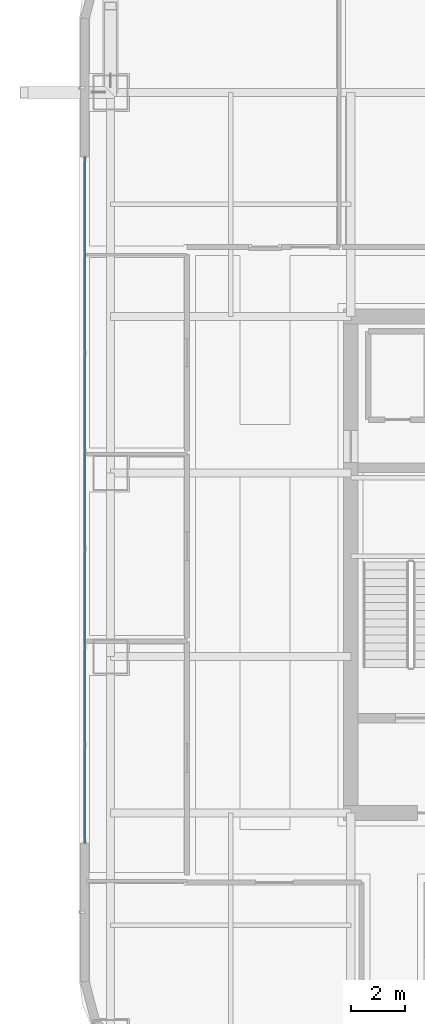
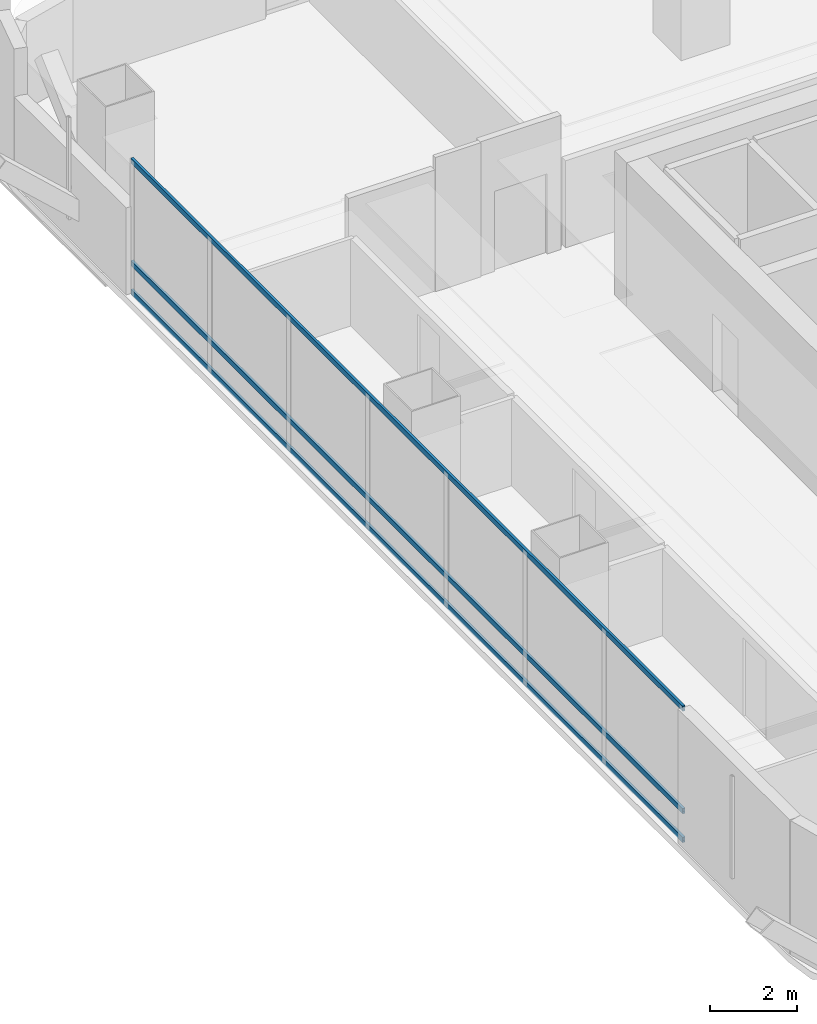
# One storey, part 10 of 51: 3 members, 1 element without a shape of its own.
"""IFC4 building model written with IfcOpenShell, lengths in metres."""

from ifc_helpers import new_model, si_unit, direction, frame, origin, origin_2d, place, context, subcontext, project, spatial, hollow_rectangle, extrude, material, material_profile, profile_set, type_object, element, aggregate, save


model = new_model("IFC4")

# Units and contexts
model_context = context("Model", 3, precision=1e-05, world=origin(), true_north=direction((0.0, 1.0)))
body_context = subcontext(model_context, "Body", "Model", "MODEL_VIEW")
ifc_project = project(units=[si_unit("LENGTHUNIT", "METRE"), si_unit("AREAUNIT", "SQUARE_METRE"), si_unit("VOLUMEUNIT", "CUBIC_METRE"), si_unit("PLANEANGLEUNIT", "RADIAN"), si_unit("MASSUNIT", "GRAM", prefix="KILO")], contexts=[model_context])

# Site, building, storey
site_placement = place(None, origin())
site = spatial("IfcSite", under=ifc_project, at=site_placement, CompositionType="ELEMENT")
building_placement = place(site_placement, origin())
building = spatial("IfcBuilding", under=site, at=building_placement, Name="Punatoya Terracotta Tower", CompositionType="ELEMENT")
storey_placement = place(building_placement, frame((0.0, 0.0, 279.75)))
storey = spatial("IfcBuildingStorey", under=building, at=storey_placement, Name="L66", CompositionType="ELEMENT", Elevation=279.75)

# Curtain wall, members
ifc_material_1 = material(Name="Aluminium 6063-T6 + Double Low-E Glass", Category="aluminium")
curtain_wall_type = type_object("IfcCurtainWallType", Name="CW-M3", PredefinedType="NOTDEFINED", material=ifc_material_1)
curtain_wall_placement = place(storey_placement, origin())
curtain_wall = element("IfcCurtainWall", 1, at=curtain_wall_placement, inside=storey, type_object=curtain_wall_type, Name="L66 Curtain Wall CW-L66-W13-1", PredefinedType="NOTDEFINED")
ifc_material_2 = material(Name="Aluminium 6063-T6", Category="aluminium")
ifc_material_profile = material_profile(ifc_material_2, hollow_rectangle(XDim=0.068115234375, YDim=0.14990234375, WallThickness=0.00390625, at=origin_2d()))
ifc_profile_set = profile_set([ifc_material_profile], Name="Aluminium 6063-T6")
member_type = type_object("IfcMemberType", Name="CW-TRN-TYP", PredefinedType="USERDEFINED", material=ifc_profile_set)
member_1_placement = place(storey_placement, frame((-20.050048828125, 15.10009765625, 0.0400390625), z_axis=(0.0, -1.0, 0.0), x_axis=(1.0, 0.0, 0.0)))
member_1 = element("IfcMember", 2, at=member_1_placement, type_object=member_type, Name="CW-L66-W13-1 Transom 1", ObjectType="TRANSOM", PredefinedType="USERDEFINED", context=body_context, shape_type="SweptSolid", body=[
    extrude(hollow_rectangle(XDim=0.068115234375, YDim=0.14990234375, WallThickness=0.00390625, at=origin_2d()), origin(), (0.0, 0.0, 1.0), 25.400146484375),
])
member_2_placement = place(storey_placement, frame((-20.050048828125, 15.10009765625, 0.85009765625), z_axis=(0.0, -1.0, 0.0), x_axis=(1.0, 0.0, 0.0)))
member_2 = element("IfcMember", 3, at=member_2_placement, type_object=member_type, Name="CW-L66-W13-1 Transom 2", ObjectType="TRANSOM", PredefinedType="USERDEFINED", context=body_context, shape_type="SweptSolid", body=[
    extrude(hollow_rectangle(XDim=0.068115234375, YDim=0.14990234375, WallThickness=0.00390625, at=origin_2d()), origin(), (0.0, 0.0, 1.0), 25.400146484375),
])
member_3_placement = place(storey_placement, frame((-20.050048828125, 15.10009765625, 3.72998046875), z_axis=(0.0, -1.0, 0.0), x_axis=(1.0, 0.0, 0.0)))
member_3 = element("IfcMember", 4, at=member_3_placement, type_object=member_type, Name="CW-L66-W13-1 Transom 3", ObjectType="TRANSOM", PredefinedType="USERDEFINED", context=body_context, shape_type="SweptSolid", body=[
    extrude(hollow_rectangle(XDim=0.068115234375, YDim=0.14990234375, WallThickness=0.00390625, at=origin_2d()), origin(), (0.0, 0.0, 1.0), 25.400146484375),
])
aggregate(curtain_wall, [member_1, member_2, member_3])

save(model, "model.ifc")
